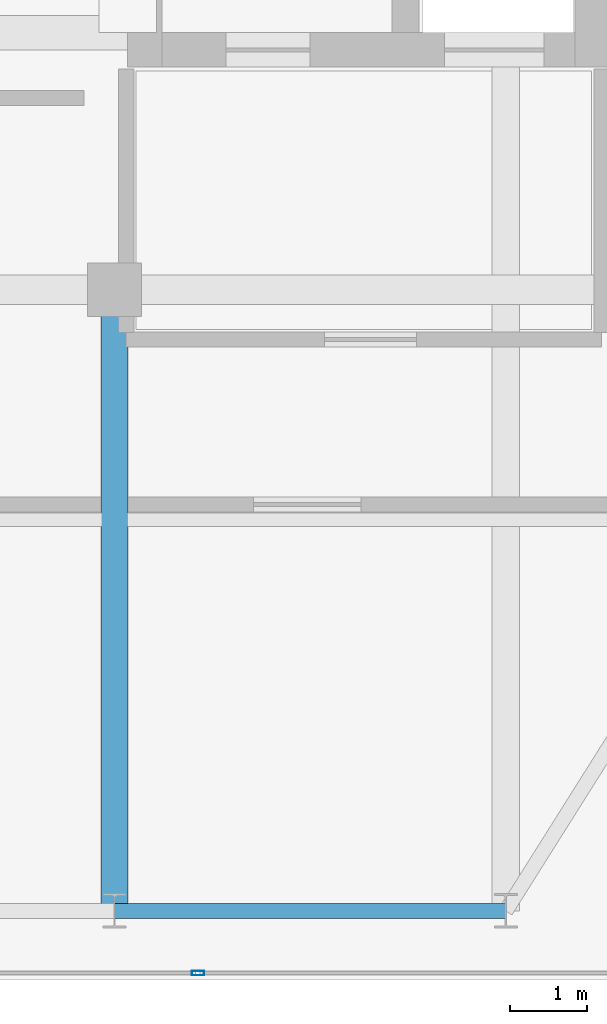
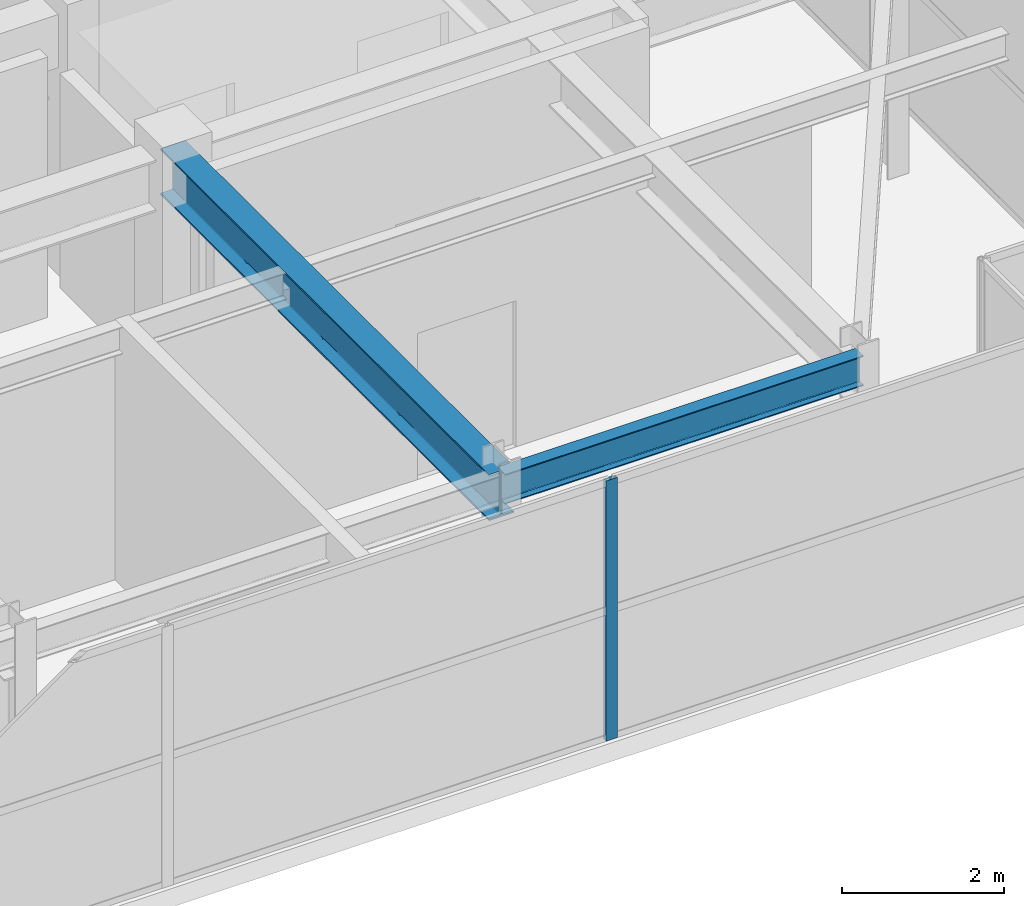
# One storey, part 9 of 32: 2 beams, 1 member, 1 element without a shape of its own.
"""IFC4 building model written with IfcOpenShell, lengths in metres."""

from ifc_helpers import new_model, si_unit, direction, frame, origin, origin_2d, place, context, subcontext, project, spatial, hollow_rectangle, i_section, extrude, source, transform, mapped, material, layer, layer_set, material_profile, profile_set, type_object, element, aggregate, save


model = new_model("IFC4")

# Units and contexts
model_context = context("Model", 3, precision=1e-05, world=origin(), true_north=direction((0.0, 1.0)))
body_context = subcontext(model_context, "Body", "Model", "MODEL_VIEW")
ifc_project = project(units=[si_unit("LENGTHUNIT", "METRE"), si_unit("AREAUNIT", "SQUARE_METRE"), si_unit("VOLUMEUNIT", "CUBIC_METRE"), si_unit("PLANEANGLEUNIT", "RADIAN"), si_unit("MASSUNIT", "GRAM", prefix="KILO")], contexts=[model_context])

# Site, building, storey
site_placement = place(None, origin())
site = spatial("IfcSite", under=ifc_project, at=site_placement, CompositionType="ELEMENT")
building_placement = place(site_placement, origin())
building = spatial("IfcBuilding", under=site, at=building_placement, Name="Khoralis Quay Care Tower", CompositionType="ELEMENT")
storey_placement = place(building_placement, frame((0.0, 0.0, 297.89990234375)))
storey = spatial("IfcBuildingStorey", under=building, at=storey_placement, Name="L78", CompositionType="ELEMENT", Elevation=297.89990234375)

# Beams
ifc_material_1 = material(Name="Steel S355", Category="steel")
ifc_material_profile_1 = material_profile(ifc_material_1, i_section(OverallWidth=0.18994140625, OverallDepth=0.449951171875, WebThickness=0.009521484375, FlangeThickness=0.0146484375, FilletRadius=0.02099609375, at=origin_2d()), Name="Steel S355")
ifc_profile_set_1 = profile_set([ifc_material_profile_1], Name="Steel S355")
beam_type_1 = type_object("IfcBeamType", Name="BM-IPE450", PredefinedType="SPANDREL", material=ifc_profile_set_1)
shared_shape_1 = source(origin(), body_context, "Body", "SweptSolid", [
    extrude(i_section(OverallWidth=0.18994140625, OverallDepth=0.449951171875, WebThickness=0.009521484375, FlangeThickness=0.0146484375, FilletRadius=0.02099609375, at=origin_2d()), origin(), (0.0, 0.0, 1.0), 5.10009765625),
])
beam_1_placement = place(storey_placement, frame((30.89990234375, 3.89990234375, 3.695068359375), z_axis=(1.0, 0.0, 0.0), x_axis=(0.0, 1.0, 0.0)))
element("IfcBeam", 1, at=beam_1_placement, inside=storey, type_object=beam_type_1, Name="BM-TSP-L78-04", PredefinedType="SPANDREL", context=body_context, shape_type="MappedRepresentation", body=[
    mapped(shared_shape_1, transform((0.0, 0.0, 0.0), scale=1.0)),
])
ifc_material_profile_2 = material_profile(ifc_material_1, i_section(OverallWidth=0.35498046875, OverallDepth=0.695068359375, WebThickness=0.015380859375, FlangeThickness=0.02490234375, FilletRadius=0.02001953125, at=origin_2d()), Name="Steel S355")
ifc_profile_set_2 = profile_set([ifc_material_profile_2], Name="Steel S355")
beam_type_2 = type_object("IfcBeamType", Name="BM-W690X217", PredefinedType="BEAM", material=ifc_profile_set_2)
shared_shape_2 = source(origin(), body_context, "Body", "SweptSolid", [
    extrude(i_section(OverallWidth=0.35498046875, OverallDepth=0.695068359375, WebThickness=0.015380859375, FlangeThickness=0.02490234375, FilletRadius=0.02001953125, at=origin_2d()), origin(), (0.0, 0.0, 1.0), 8.10009765625),
])
beam_2_placement = place(storey_placement, frame((30.89990234375, 3.89990234375, 3.572509765625), z_axis=(0.0, 1.0, 0.0), x_axis=(-1.0, 0.0, 0.0)))
element("IfcBeam", 2, at=beam_2_placement, inside=storey, type_object=beam_type_2, Name="BM-TGYS-L78-309", PredefinedType="BEAM", context=body_context, shape_type="MappedRepresentation", body=[
    mapped(shared_shape_2, transform((0.0, 0.0, 0.0), scale=1.0)),
])

# Curtain wall, member
ifc_material_2 = material(Name="Pale anodised aluminium", Category="aluminium")
ifc_layer = layer(ifc_material_2, 0.199951171875)
ifc_layer_set = layer_set([ifc_layer], Name="Pale anodised aluminium")
curtain_wall_type = type_object("IfcCurtainWallType", Name="CW-SYS-LANTERN", PredefinedType="NOTDEFINED", material=ifc_layer_set)
curtain_wall_placement = place(storey_placement, origin())
curtain_wall = element("IfcCurtainWall", 3, at=curtain_wall_placement, inside=storey, type_object=curtain_wall_type, Name="L78 Unitised Curtain Wall CW-LN-L78-01", PredefinedType="NOTDEFINED")
ifc_material_profile_3 = material_profile(ifc_material_2, hollow_rectangle(XDim=0.06005859375, YDim=0.159912109375, WallThickness=0.00390625, at=origin_2d()), Name="Pale anodised aluminium")
ifc_profile_set_3 = profile_set([ifc_material_profile_3], Name="Pale anodised aluminium")
member_type = type_object("IfcMemberType", Name="CW-MUL-160", PredefinedType="MULLION", material=ifc_profile_set_3)
shared_shape_3 = source(origin(), body_context, "Body", "SweptSolid", [
    extrude(hollow_rectangle(XDim=0.06005859375, YDim=0.159912109375, WallThickness=0.00390625, at=origin_2d()), origin(), (0.0, 0.0, 1.0), 3.920166015625),
])
member_placement = place(storey_placement, frame((31.986083984375, 3.090087890625, 0.0), z_axis=(0.0, 0.0, 1.0), x_axis=(0.0, 1.0, 0.0)))
member = element("IfcMember", 4, at=member_placement, type_object=member_type, Name="CW5 mullion 5", PredefinedType="MULLION", context=body_context, shape_type="MappedRepresentation", body=[
    mapped(shared_shape_3, transform((0.0, 0.0, 0.0), scale=1.0)),
])
aggregate(curtain_wall, [member])

save(model, "model.ifc")
